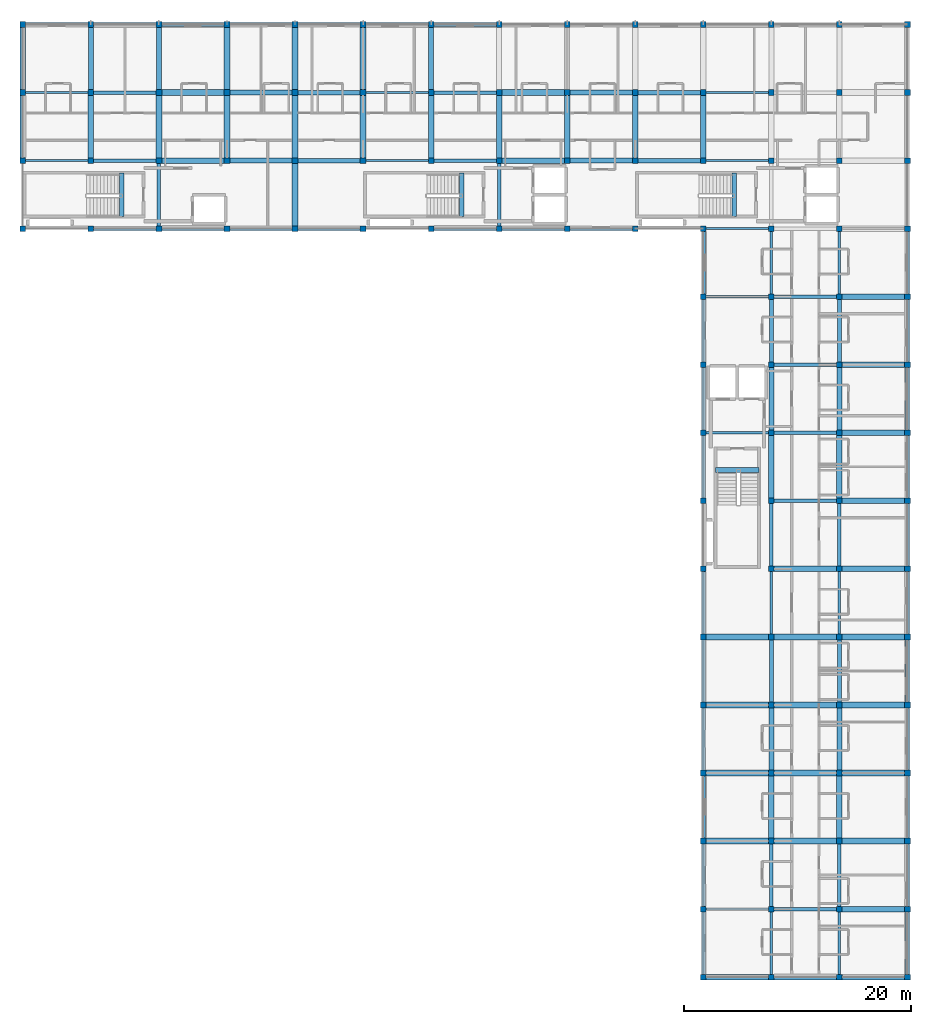
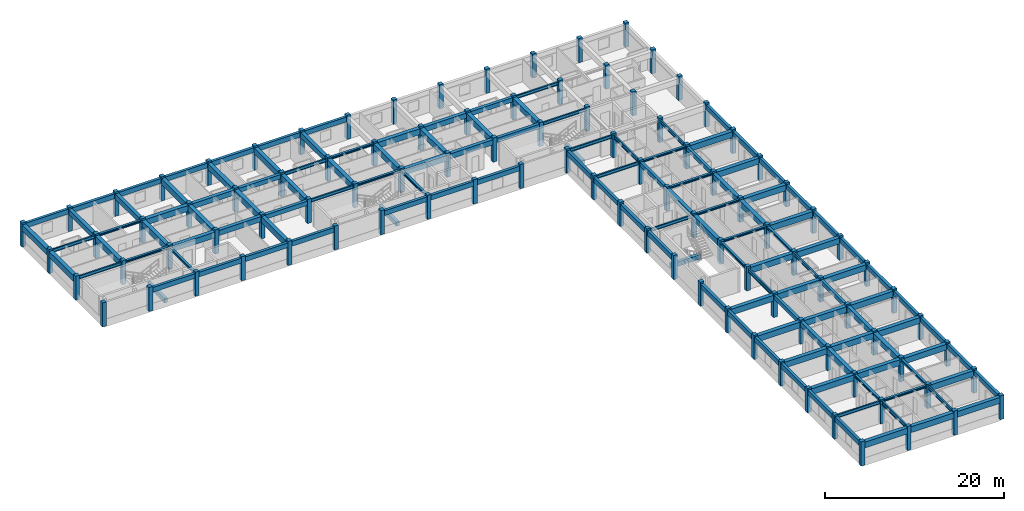
# One storey, part 1 of 15: 135 beams, 100 columns.
"""IFC4 building model written with IfcOpenShell, lengths in metres."""

from ifc_helpers import new_model, si_unit, direction, frame, origin, origin_2d, place, context, subcontext, project, spatial, rectangle, i_section, extrude, material, material_profile, profile_set, type_object, element, save


model = new_model("IFC4")

# Units and contexts
model_context = context("Model", 3, precision=1e-05, world=origin(), true_north=direction((0.0, 1.0)))
body_context = subcontext(model_context, "Body", "Model", "MODEL_VIEW")
ifc_project = project(units=[si_unit("LENGTHUNIT", "METRE"), si_unit("AREAUNIT", "SQUARE_METRE"), si_unit("VOLUMEUNIT", "CUBIC_METRE"), si_unit("PLANEANGLEUNIT", "RADIAN"), si_unit("MASSUNIT", "GRAM", prefix="KILO"), si_unit("THERMODYNAMICTEMPERATUREUNIT", "KELVIN"), si_unit("POWERUNIT", "WATT")], contexts=[model_context])

# Site, building, storey
site_placement = place(None, origin())
site = spatial("IfcSite", under=ifc_project, at=site_placement, CompositionType="ELEMENT")
building_placement = place(site_placement, origin())
building = spatial("IfcBuilding", under=site, at=building_placement, Name="Phaisarnlok Congress Hotel", CompositionType="ELEMENT")
storey_placement = place(building_placement, frame((0.0, 0.0, 41.39990234375)))
storey = spatial("IfcBuildingStorey", under=building, at=storey_placement, Name="L10", CompositionType="ELEMENT", Elevation=41.39990234375)

# Columns
ifc_material_1 = material(Name="Concrete C50/60", Category="concrete")
ifc_material_profile_1 = material_profile(ifc_material_1, rectangle(XDim=0.5, YDim=0.5, at=origin_2d()), Name="RC 500x500")
ifc_profile_set_1 = profile_set([ifc_material_profile_1], Name="Concrete C50/60")
column_type_1 = type_object("IfcColumnType", Name="COL-RC-500", PredefinedType="COLUMN", material=ifc_profile_set_1)
for number, where, z_axis, x_axis, name in (
    (1, (102.0, 108.0, 0.0), (0.0, 0.0, 1.0), (1.0, 0.0, 0.0), "Column C-01 (L10)"),
    (2, (102.0, 114.0, 0.0), (0.0, 0.0, 1.0), (1.0, 0.0, 0.0), "Column C-01 (L10)"),
    (3, (102.0, 120.0, 0.0), (0.0, 0.0, 1.0), (1.0, 0.0, 0.0), "Column C-01 (L10)"),
    (4, (108.0, 108.0, 0.0), (0.0, 0.0, 1.0), (1.0, 0.0, 0.0), "Column C-01 (L10)"),
    (5, (108.0, 114.0, 0.0), (0.0, 0.0, 1.0), (1.0, 0.0, 0.0), "Column C-01 (L10)"),
    (6, (108.0, 120.0, 0.0), (0.0, 0.0, 1.0), (1.0, 0.0, 0.0), "Column C-01 (L10)"),
    (7, (114.0, 108.0, 0.0), (0.0, 0.0, 1.0), (1.0, 0.0, 0.0), "Column C-01 (L10)"),
    (8, (114.0, 114.0, 0.0), (0.0, 0.0, 1.0), (1.0, 0.0, 0.0), "Column C-01 (L10)"),
    (9, (114.0, 120.0, 0.0), (0.0, 0.0, 1.0), (1.0, 0.0, 0.0), "Column C-01 (L10)"),
    (10, (120.0, 108.0, 0.0), (0.0, 0.0, 1.0), (1.0, 0.0, 0.0), "Column C-01 (L10)"),
    (11, (120.0, 114.0, 0.0), (0.0, 0.0, 1.0), (1.0, 0.0, 0.0), "Column C-01 (L10)"),
    (12, (120.0, 120.0, 0.0), (0.0, 0.0, 1.0), (1.0, 0.0, 0.0), "Column C-01 (L10)"),
    (13, (126.0, 108.0, 0.0), (0.0, 0.0, 1.0), (1.0, 0.0, 0.0), "Column C-01 (L10)"),
    (14, (126.0, 114.0, 0.0), (0.0, 0.0, 1.0), (1.0, 0.0, 0.0), "Column C-01 (L10)"),
    (15, (126.0, 120.0, 0.0), (0.0, 0.0, 1.0), (1.0, 0.0, 0.0), "Column C-01 (L10)"),
    (16, (132.0, 108.0, 0.0), (0.0, 0.0, 1.0), (1.0, 0.0, 0.0), "Column C-01 (L10)"),
    (17, (132.0, 114.0, 0.0), (0.0, 0.0, 1.0), (1.0, 0.0, 0.0), "Column C-01 (L10)"),
    (18, (132.0, 120.0, 0.0), (0.0, 0.0, 1.0), (1.0, 0.0, 0.0), "Column C-01 (L10)"),
    (19, (138.0, 108.0, 0.0), (0.0, 0.0, 1.0), (1.0, 0.0, 0.0), "Column C-01 (L10)"),
    (20, (138.0, 114.0, 0.0), (0.0, 0.0, 1.0), (1.0, 0.0, 0.0), "Column C-01 (L10)"),
    (21, (138.0, 120.0, 0.0), (0.0, 0.0, 1.0), (1.0, 0.0, 0.0), "Column C-01 (L10)"),
    (22, (144.0, 108.0, 0.0), (0.0, 0.0, 1.0), (1.0, 0.0, 0.0), "Column C-01 (L10)"),
    (23, (144.0, 114.0, 0.0), (0.0, 0.0, 1.0), (1.0, 0.0, 0.0), "Column C-01 (L10)"),
    (24, (144.0, 120.0, 0.0), (0.0, 0.0, 1.0), (1.0, 0.0, 0.0), "Column C-01 (L10)"),
    (25, (150.0, 108.0, 0.0), (0.0, 0.0, 1.0), (1.0, 0.0, 0.0), "Column C-01 (L10)"),
    (26, (150.0, 114.0, 0.0), (0.0, 0.0, 1.0), (1.0, 0.0, 0.0), "Column C-01 (L10)"),
    (27, (150.0, 120.0, 0.0), (0.0, 0.0, 1.0), (1.0, 0.0, 0.0), "Column C-01 (L10)"),
    (28, (156.0, 108.0, 0.0), (0.0, 0.0, 1.0), (1.0, 0.0, 0.0), "Column C-01 (L10)"),
    (29, (156.0, 114.0, 0.0), (0.0, 0.0, 1.0), (1.0, 0.0, 0.0), "Column C-01 (L10)"),
    (30, (156.0, 120.0, 0.0), (0.0, 0.0, 1.0), (1.0, 0.0, 0.0), "Column C-01 (L10)"),
    (31, (162.0, 42.0, 0.0), (0.0, 0.0, 1.0), (1.0, 0.0, 0.0), "Column C-01 (L10)"),
    (32, (162.0, 48.0, 0.0), (0.0, 0.0, 1.0), (1.0, 0.0, 0.0), "Column C-01 (L10)"),
    (33, (162.0, 54.0, 0.0), (0.0, 0.0, 1.0), (1.0, 0.0, 0.0), "Column C-01 (L10)"),
    (34, (162.0, 60.0, 0.0), (0.0, 0.0, 1.0), (1.0, 0.0, 0.0), "Column C-01 (L10)"),
    (35, (162.0, 66.0, 0.0), (0.0, 0.0, 1.0), (1.0, 0.0, 0.0), "Column C-01 (L10)"),
    (36, (162.0, 72.0, 0.0), (0.0, 0.0, 1.0), (1.0, 0.0, 0.0), "Column C-01 (L10)"),
    (37, (162.0, 78.0, 0.0), (0.0, 0.0, 1.0), (1.0, 0.0, 0.0), "Column C-01 (L10)"),
    (38, (162.0, 84.0, 0.0), (0.0, 0.0, 1.0), (1.0, 0.0, 0.0), "Column C-01 (L10)"),
    (39, (162.0, 90.0, 0.0), (0.0, 0.0, 1.0), (1.0, 0.0, 0.0), "Column C-01 (L10)"),
    (40, (162.0, 96.0, 0.0), (0.0, 0.0, 1.0), (1.0, 0.0, 0.0), "Column C-01 (L10)"),
    (41, (162.0, 102.0, 0.0), (0.0, 0.0, 1.0), (1.0, 0.0, 0.0), "Column C-01 (L10)"),
    (42, (162.0, 108.0, 0.0), (0.0, 0.0, 1.0), (1.0, 0.0, 0.0), "Column C-01 (L10)"),
    (43, (162.0, 114.0, 0.0), (0.0, 0.0, 1.0), (1.0, 0.0, 0.0), "Column C-01 (L10)"),
    (44, (162.0, 120.0, 0.0), (0.0, 0.0, 1.0), (1.0, 0.0, 0.0), "Column C-01 (L10)"),
    (45, (168.0, 42.0, 0.0), (0.0, 0.0, 1.0), (1.0, 0.0, 0.0), "Column C-01 (L10)"),
    (46, (168.0, 48.0, 0.0), (0.0, 0.0, 1.0), (1.0, 0.0, 0.0), "Column C-01 (L10)"),
    (47, (168.0, 54.0, 0.0), (0.0, 0.0, 1.0), (1.0, 0.0, 0.0), "Column C-01 (L10)"),
    (48, (168.0, 60.0, 0.0), (0.0, 0.0, 1.0), (1.0, 0.0, 0.0), "Column C-01 (L10)"),
    (49, (168.0, 66.0, 0.0), (0.0, 0.0, 1.0), (1.0, 0.0, 0.0), "Column C-01 (L10)"),
    (50, (168.0, 72.0, 0.0), (0.0, 0.0, 1.0), (1.0, 0.0, 0.0), "Column C-01 (L10)"),
    (51, (168.0, 78.0, 0.0), (0.0, 0.0, 1.0), (1.0, 0.0, 0.0), "Column C-01 (L10)"),
    (52, (168.0, 84.0, 0.0), (0.0, 0.0, 1.0), (1.0, 0.0, 0.0), "Column C-01 (L10)"),
    (53, (168.0, 90.0, 0.0), (0.0, 0.0, 1.0), (1.0, 0.0, 0.0), "Column C-01 (L10)"),
    (54, (168.0, 96.0, 0.0), (0.0, 0.0, 1.0), (1.0, 0.0, 0.0), "Column C-01 (L10)"),
    (55, (168.0, 102.0, 0.0), (0.0, 0.0, 1.0), (1.0, 0.0, 0.0), "Column C-01 (L10)"),
    (56, (168.0, 108.0, 0.0), (0.0, 0.0, 1.0), (1.0, 0.0, 0.0), "Column C-01 (L10)"),
    (57, (168.0, 114.0, 0.0), (0.0, 0.0, 1.0), (1.0, 0.0, 0.0), "Column C-01 (L10)"),
    (58, (168.0, 120.0, 0.0), (0.0, 0.0, 1.0), (1.0, 0.0, 0.0), "Column C-01 (L10)"),
    (59, (174.0, 42.0, 0.0), (0.0, 0.0, 1.0), (1.0, 0.0, 0.0), "Column C-01 (L10)"),
    (60, (174.0, 48.0, 0.0), (0.0, 0.0, 1.0), (1.0, 0.0, 0.0), "Column C-01 (L10)"),
    (61, (174.0, 54.0, 0.0), (0.0, 0.0, 1.0), (1.0, 0.0, 0.0), "Column C-01 (L10)"),
    (62, (174.0, 60.0, 0.0), (0.0, 0.0, 1.0), (1.0, 0.0, 0.0), "Column C-01 (L10)"),
    (63, (174.0, 66.0, 0.0), (0.0, 0.0, 1.0), (1.0, 0.0, 0.0), "Column C-01 (L10)"),
    (64, (174.0, 72.0, 0.0), (0.0, 0.0, 1.0), (1.0, 0.0, 0.0), "Column C-01 (L10)"),
    (65, (174.0, 78.0, 0.0), (0.0, 0.0, 1.0), (1.0, 0.0, 0.0), "Column C-01 (L10)"),
    (66, (174.0, 84.0, 0.0), (0.0, 0.0, 1.0), (1.0, 0.0, 0.0), "Column C-01 (L10)"),
    (67, (174.0, 90.0, 0.0), (0.0, 0.0, 1.0), (1.0, 0.0, 0.0), "Column C-01 (L10)"),
    (68, (174.0, 96.0, 0.0), (0.0, 0.0, 1.0), (1.0, 0.0, 0.0), "Column C-01 (L10)"),
    (69, (174.0, 102.0, 0.0), (0.0, 0.0, 1.0), (1.0, 0.0, 0.0), "Column C-01 (L10)"),
    (70, (174.0, 108.0, 0.0), (0.0, 0.0, 1.0), (1.0, 0.0, 0.0), "Column C-01 (L10)"),
    (71, (174.0, 114.0, 0.0), (0.0, 0.0, 1.0), (1.0, 0.0, 0.0), "Column C-01 (L10)"),
    (72, (174.0, 120.0, 0.0), (0.0, 0.0, 1.0), (1.0, 0.0, 0.0), "Column C-01 (L10)"),
):
    element("IfcColumn", number, at=place(storey_placement, frame(where, z_axis=z_axis, x_axis=x_axis)), inside=storey, type_object=column_type_1, Name=name, PredefinedType="COLUMN", context=body_context, shape_type="SweptSolid", body=[
        extrude(rectangle(XDim=0.5, YDim=0.5, at=origin_2d()), origin(), (0.0, 0.0, 1.0), 3.300048828125),
    ])
ifc_material_profile_2 = material_profile(ifc_material_1, rectangle(XDim=0.5, YDim=0.5, at=origin_2d()), Name="RC 500x500")
ifc_profile_set_2 = profile_set([ifc_material_profile_2], Name="Concrete C50/60")
column_type_2 = type_object("IfcColumnType", Name="COL-RC-500-EXT", PredefinedType="COLUMN", material=ifc_profile_set_2)
for number, where, z_axis, x_axis, name in (
    (73, (102.0, 126.0, 0.0), (0.0, 0.0, 1.0), (1.0, 0.0, 0.0), "Column C-01E (L10)"),
    (74, (108.0, 126.0, 0.0), (0.0, 0.0, 1.0), (1.0, 0.0, 0.0), "Column C-01E (L10)"),
    (75, (114.0, 126.0, 0.0), (0.0, 0.0, 1.0), (1.0, 0.0, 0.0), "Column C-01E (L10)"),
    (76, (120.0, 126.0, 0.0), (0.0, 0.0, 1.0), (1.0, 0.0, 0.0), "Column C-01E (L10)"),
    (77, (126.0, 126.0, 0.0), (0.0, 0.0, 1.0), (1.0, 0.0, 0.0), "Column C-01E (L10)"),
    (78, (132.0, 126.0, 0.0), (0.0, 0.0, 1.0), (1.0, 0.0, 0.0), "Column C-01E (L10)"),
    (79, (138.0, 126.0, 0.0), (0.0, 0.0, 1.0), (1.0, 0.0, 0.0), "Column C-01E (L10)"),
    (80, (144.0, 126.0, 0.0), (0.0, 0.0, 1.0), (1.0, 0.0, 0.0), "Column C-01E (L10)"),
    (81, (150.0, 126.0, 0.0), (0.0, 0.0, 1.0), (1.0, 0.0, 0.0), "Column C-01E (L10)"),
    (82, (156.0, 126.0, 0.0), (0.0, 0.0, 1.0), (1.0, 0.0, 0.0), "Column C-01E (L10)"),
    (83, (162.0, 126.0, 0.0), (0.0, 0.0, 1.0), (1.0, 0.0, 0.0), "Column C-01E (L10)"),
    (84, (168.0, 126.0, 0.0), (0.0, 0.0, 1.0), (1.0, 0.0, 0.0), "Column C-01E (L10)"),
    (85, (174.0, 126.0, 0.0), (0.0, 0.0, 1.0), (1.0, 0.0, 0.0), "Column C-01E (L10)"),
    (86, (180.0, 42.0, 0.0), (0.0, 0.0, 1.0), (1.0, 0.0, 0.0), "Column C-01E (L10)"),
    (87, (180.0, 48.0, 0.0), (0.0, 0.0, 1.0), (1.0, 0.0, 0.0), "Column C-01E (L10)"),
    (88, (180.0, 54.0, 0.0), (0.0, 0.0, 1.0), (1.0, 0.0, 0.0), "Column C-01E (L10)"),
    (89, (180.0, 60.0, 0.0), (0.0, 0.0, 1.0), (1.0, 0.0, 0.0), "Column C-01E (L10)"),
    (90, (180.0, 66.0, 0.0), (0.0, 0.0, 1.0), (1.0, 0.0, 0.0), "Column C-01E (L10)"),
    (91, (180.0, 72.0, 0.0), (0.0, 0.0, 1.0), (1.0, 0.0, 0.0), "Column C-01E (L10)"),
    (92, (180.0, 78.0, 0.0), (0.0, 0.0, 1.0), (1.0, 0.0, 0.0), "Column C-01E (L10)"),
    (93, (180.0, 84.0, 0.0), (0.0, 0.0, 1.0), (1.0, 0.0, 0.0), "Column C-01E (L10)"),
    (94, (180.0, 90.0, 0.0), (0.0, 0.0, 1.0), (1.0, 0.0, 0.0), "Column C-01E (L10)"),
    (95, (180.0, 96.0, 0.0), (0.0, 0.0, 1.0), (1.0, 0.0, 0.0), "Column C-01E (L10)"),
    (96, (180.0, 102.0, 0.0), (0.0, 0.0, 1.0), (1.0, 0.0, 0.0), "Column C-01E (L10)"),
    (97, (180.0, 108.0, 0.0), (0.0, 0.0, 1.0), (1.0, 0.0, 0.0), "Column C-01E (L10)"),
    (98, (180.0, 114.0, 0.0), (0.0, 0.0, 1.0), (1.0, 0.0, 0.0), "Column C-01E (L10)"),
    (99, (180.0, 120.0, 0.0), (0.0, 0.0, 1.0), (1.0, 0.0, 0.0), "Column C-01E (L10)"),
    (100, (180.0, 126.0, 0.0), (0.0, 0.0, 1.0), (1.0, 0.0, 0.0), "Column C-01E (L10)"),
):
    element("IfcColumn", number, at=place(storey_placement, frame(where, z_axis=z_axis, x_axis=x_axis)), inside=storey, type_object=column_type_2, Name=name, PredefinedType="COLUMN", context=body_context, shape_type="SweptSolid", body=[
        extrude(rectangle(XDim=0.5, YDim=0.5, at=origin_2d()), origin(), (0.0, 0.0, 1.0), 3.300048828125),
    ])

# Beams
ifc_material_2 = material(Name="Concrete C40/50", Category="concrete")
ifc_material_profile_3 = material_profile(ifc_material_2, rectangle(XDim=0.35009765625, YDim=0.550048828125, at=origin_2d()), Name="RC 350x550")
ifc_profile_set_3 = profile_set([ifc_material_profile_3], Name="Concrete C40/50")
beam_type_1 = type_object("IfcBeamType", Name="BM-RC-350x550", PredefinedType="BEAM", material=ifc_profile_set_3)
for number, where, z_axis, x_axis, name in (
    (101, (168.0, 66.2451171875, 2.78515625), (0.0, 1.0, 0.0), (-1.0, 0.0, 0.0), "Beam B-01"),
    (102, (168.0, 96.2451171875, 2.78515625), (0.0, 1.0, 0.0), (-1.0, 0.0, 0.0), "Beam B-01"),
    (103, (174.0, 66.2451171875, 2.78515625), (0.0, 1.0, 0.0), (-1.0, 0.0, 0.0), "Beam B-01"),
    (104, (174.0, 96.2451171875, 2.78515625), (0.0, 1.0, 0.0), (-1.0, 0.0, 0.0), "Beam B-01"),
):
    element("IfcBeam", number, at=place(storey_placement, frame(where, z_axis=z_axis, x_axis=x_axis)), inside=storey, type_object=beam_type_1, Name=name, PredefinedType="BEAM", context=body_context, shape_type="SweptSolid", body=[
        extrude(rectangle(XDim=0.35009765625, YDim=0.550048828125, at=origin_2d()), origin(), (0.0, 0.0, 1.0), 5.509765625),
    ])
ifc_material_profile_4 = material_profile(ifc_material_2, rectangle(XDim=0.39990234375, YDim=0.60009765625, at=origin_2d()), Name="RC 400x600")
ifc_profile_set_4 = profile_set([ifc_material_profile_4], Name="Concrete C40/50")
beam_type_2 = type_object("IfcBeamType", Name="BM-RC-400x600", PredefinedType="BEAM", material=ifc_profile_set_4)
for number, where, z_axis, x_axis, name in (
    (105, (126.2451171875, 114.0, 2.760009765625), (1.0, 0.0, 0.0), (0.0, 1.0, 0.0), "Beam B-02"),
    (106, (126.2451171875, 120.0, 2.760009765625), (1.0, 0.0, 0.0), (0.0, 1.0, 0.0), "Beam B-02"),
    (107, (156.2451171875, 114.0, 2.760009765625), (1.0, 0.0, 0.0), (0.0, 1.0, 0.0), "Beam B-02"),
    (108, (156.2451171875, 120.0, 2.760009765625), (1.0, 0.0, 0.0), (0.0, 1.0, 0.0), "Beam B-02"),
):
    element("IfcBeam", number, at=place(storey_placement, frame(where, z_axis=z_axis, x_axis=x_axis)), inside=storey, type_object=beam_type_2, Name=name, PredefinedType="BEAM", context=body_context, shape_type="SweptSolid", body=[
        extrude(rectangle(XDim=0.39990234375, YDim=0.60009765625, at=origin_2d()), origin(), (0.0, 0.0, 1.0), 5.509765625),
    ])
for number, where, z_axis, x_axis, name in (
    (109, (164.719970703125, 109.080078125, -0.2998046875), (0.0, 1.0, 0.0), (-1.0, 0.0, 0.0), "Stair landing header beam B-02 (CORE-1 L10)"),
    (110, (140.719970703125, 109.080078125, -0.2998046875), (0.0, 1.0, 0.0), (-1.0, 0.0, 0.0), "Stair landing header beam B-02 (CORE-2 L10)"),
    (111, (163.080078125, 86.719970703125, -0.2998046875), (1.0, 0.0, 0.0), (0.0, 1.0, 0.0), "Stair landing header beam B-02 (CORE-3 L10)"),
    (112, (110.719970703125, 109.080078125, -0.2998046875), (0.0, 1.0, 0.0), (-1.0, 0.0, 0.0), "Stair landing header beam B-02 (CORE-4 L10)"),
):
    element("IfcBeam", number, at=place(storey_placement, frame(where, z_axis=z_axis, x_axis=x_axis)), inside=storey, type_object=beam_type_2, Name=name, PredefinedType="BEAM", context=body_context, shape_type="SweptSolid", body=[
        extrude(rectangle(XDim=0.39990234375, YDim=0.60009765625, at=origin_2d()), origin(), (0.0, 0.0, 1.0), 3.83984375),
    ])
ifc_material_profile_5 = material_profile(ifc_material_2, rectangle(XDim=0.449951171875, YDim=0.699951171875, at=origin_2d()), Name="RC 450x700")
ifc_profile_set_5 = profile_set([ifc_material_profile_5], Name="Concrete C40/50")
beam_type_3 = type_object("IfcBeamType", Name="BM-RC-450x700", PredefinedType="BEAM", material=ifc_profile_set_5)
for number, where, z_axis, x_axis, name in (
    (113, (108.0, 120.2451171875, 2.710205078125), (0.0, 1.0, 0.0), (-1.0, 0.0, 0.0), "Beam B-03"),
    (114, (114.0, 120.2451171875, 2.710205078125), (0.0, 1.0, 0.0), (-1.0, 0.0, 0.0), "Beam B-03"),
    (115, (120.2451171875, 114.0, 2.710205078125), (1.0, 0.0, 0.0), (0.0, 1.0, 0.0), "Beam B-03"),
    (116, (120.2451171875, 120.0, 2.710205078125), (1.0, 0.0, 0.0), (0.0, 1.0, 0.0), "Beam B-03"),
    (117, (138.0, 120.2451171875, 2.710205078125), (0.0, 1.0, 0.0), (-1.0, 0.0, 0.0), "Beam B-03"),
    (118, (150.2451171875, 114.0, 2.710205078125), (1.0, 0.0, 0.0), (0.0, 1.0, 0.0), "Beam B-03"),
    (119, (150.2451171875, 120.0, 2.710205078125), (1.0, 0.0, 0.0), (0.0, 1.0, 0.0), "Beam B-03"),
    (120, (168.0, 60.2451171875, 2.7451171875), (0.0, 1.0, 0.0), (-1.0, 0.0, 0.0), "Beam B-03"),
    (121, (168.0, 90.2451171875, 2.710205078125), (0.0, 1.0, 0.0), (-1.0, 0.0, 0.0), "Beam B-03"),
    (122, (174.0, 60.2451171875, 2.7451171875), (0.0, 1.0, 0.0), (-1.0, 0.0, 0.0), "Beam B-03"),
    (123, (174.0, 90.2451171875, 2.710205078125), (0.0, 1.0, 0.0), (-1.0, 0.0, 0.0), "Beam B-03"),
):
    element("IfcBeam", number, at=place(storey_placement, frame(where, z_axis=z_axis, x_axis=x_axis)), inside=storey, type_object=beam_type_3, Name=name, PredefinedType="BEAM", context=body_context, shape_type="SweptSolid", body=[
        extrude(rectangle(XDim=0.449951171875, YDim=0.699951171875, at=origin_2d()), origin(), (0.0, 0.0, 1.0), 5.509765625),
    ])
ifc_material_profile_6 = material_profile(ifc_material_2, rectangle(XDim=0.5, YDim=0.800048828125, at=origin_2d()), Name="RC 500x800")
ifc_profile_set_6 = profile_set([ifc_material_profile_6], Name="Concrete C40/50")
beam_type_4 = type_object("IfcBeamType", Name="BM-RC-500x800", PredefinedType="BEAM", material=ifc_profile_set_6)
for number, where, z_axis, x_axis, name in (
    (124, (108.0, 114.2451171875, 2.66015625), (0.0, 1.0, 0.0), (-1.0, 0.0, 0.0), "Beam B-04"),
    (125, (114.2451171875, 114.0, 2.66015625), (1.0, 0.0, 0.0), (0.0, 1.0, 0.0), "Beam B-04"),
    (126, (114.0, 114.2451171875, 2.66015625), (0.0, 1.0, 0.0), (-1.0, 0.0, 0.0), "Beam B-04"),
    (127, (114.2451171875, 120.0, 2.66015625), (1.0, 0.0, 0.0), (0.0, 1.0, 0.0), "Beam B-04"),
    (128, (120.0, 114.2451171875, 2.66015625), (0.0, 1.0, 0.0), (-1.0, 0.0, 0.0), "Beam B-04"),
    (129, (120.0, 120.2451171875, 2.66015625), (0.0, 1.0, 0.0), (-1.0, 0.0, 0.0), "Beam B-04"),
    (130, (126.0, 108.2451171875, 2.66015625), (0.0, 1.0, 0.0), (-1.0, 0.0, 0.0), "Beam B-04"),
    (131, (126.0, 114.2451171875, 2.66015625), (0.0, 1.0, 0.0), (-1.0, 0.0, 0.0), "Beam B-04"),
    (132, (126.0, 120.2451171875, 2.66015625), (0.0, 1.0, 0.0), (-1.0, 0.0, 0.0), "Beam B-04"),
    (133, (132.0, 114.2451171875, 2.66015625), (0.0, 1.0, 0.0), (-1.0, 0.0, 0.0), "Beam B-04"),
    (134, (132.0, 120.2451171875, 2.66015625), (0.0, 1.0, 0.0), (-1.0, 0.0, 0.0), "Beam B-04"),
    (135, (138.0, 114.2451171875, 2.66015625), (0.0, 1.0, 0.0), (-1.0, 0.0, 0.0), "Beam B-04"),
    (136, (144.2451171875, 114.0, 2.66015625), (1.0, 0.0, 0.0), (0.0, 1.0, 0.0), "Beam B-04"),
    (137, (144.0, 114.2451171875, 2.66015625), (0.0, 1.0, 0.0), (-1.0, 0.0, 0.0), "Beam B-04"),
    (138, (144.2451171875, 120.0, 2.66015625), (1.0, 0.0, 0.0), (0.0, 1.0, 0.0), "Beam B-04"),
    (139, (150.0, 114.2451171875, 2.66015625), (0.0, 1.0, 0.0), (-1.0, 0.0, 0.0), "Beam B-04"),
    (140, (156.0, 114.2451171875, 2.66015625), (0.0, 1.0, 0.0), (-1.0, 0.0, 0.0), "Beam B-04"),
    (141, (162.2451171875, 54.0, 2.695068359375), (1.0, 0.0, 0.0), (0.0, 1.0, 0.0), "Beam B-04"),
    (142, (162.2451171875, 60.0, 2.695068359375), (1.0, 0.0, 0.0), (0.0, 1.0, 0.0), "Beam B-04"),
    (143, (162.2451171875, 66.0, 2.66015625), (1.0, 0.0, 0.0), (0.0, 1.0, 0.0), "Beam B-04"),
    (144, (162.2451171875, 72.0, 2.66015625), (1.0, 0.0, 0.0), (0.0, 1.0, 0.0), "Beam B-04"),
    (145, (162.0, 114.2451171875, 2.66015625), (0.0, 1.0, 0.0), (-1.0, 0.0, 0.0), "Beam B-04"),
    (146, (168.2451171875, 54.0, 2.695068359375), (1.0, 0.0, 0.0), (0.0, 1.0, 0.0), "Beam B-04"),
    (147, (168.0, 54.2451171875, 2.695068359375), (0.0, 1.0, 0.0), (-1.0, 0.0, 0.0), "Beam B-04"),
    (148, (168.2451171875, 60.0, 2.695068359375), (1.0, 0.0, 0.0), (0.0, 1.0, 0.0), "Beam B-04"),
    (149, (168.2451171875, 66.0, 2.66015625), (1.0, 0.0, 0.0), (0.0, 1.0, 0.0), "Beam B-04"),
    (150, (168.2451171875, 72.0, 2.66015625), (1.0, 0.0, 0.0), (0.0, 1.0, 0.0), "Beam B-04"),
    (151, (168.2451171875, 78.0, 2.66015625), (1.0, 0.0, 0.0), (0.0, 1.0, 0.0), "Beam B-04"),
    (152, (168.0, 84.2451171875, 2.66015625), (0.0, 1.0, 0.0), (-1.0, 0.0, 0.0), "Beam B-04"),
    (153, (174.2451171875, 48.0, 2.695068359375), (1.0, 0.0, 0.0), (0.0, 1.0, 0.0), "Beam B-04"),
    (154, (174.2451171875, 54.0, 2.695068359375), (1.0, 0.0, 0.0), (0.0, 1.0, 0.0), "Beam B-04"),
    (155, (174.0, 54.2451171875, 2.695068359375), (0.0, 1.0, 0.0), (-1.0, 0.0, 0.0), "Beam B-04"),
    (156, (174.2451171875, 60.0, 2.695068359375), (1.0, 0.0, 0.0), (0.0, 1.0, 0.0), "Beam B-04"),
    (157, (174.2451171875, 66.0, 2.66015625), (1.0, 0.0, 0.0), (0.0, 1.0, 0.0), "Beam B-04"),
    (158, (174.2451171875, 72.0, 2.66015625), (1.0, 0.0, 0.0), (0.0, 1.0, 0.0), "Beam B-04"),
    (159, (174.2451171875, 78.0, 2.66015625), (1.0, 0.0, 0.0), (0.0, 1.0, 0.0), "Beam B-04"),
    (160, (174.2451171875, 84.0, 2.66015625), (1.0, 0.0, 0.0), (0.0, 1.0, 0.0), "Beam B-04"),
    (161, (174.0, 84.2451171875, 2.66015625), (0.0, 1.0, 0.0), (-1.0, 0.0, 0.0), "Beam B-04"),
    (162, (174.2451171875, 90.0, 2.66015625), (1.0, 0.0, 0.0), (0.0, 1.0, 0.0), "Beam B-04"),
    (163, (174.2451171875, 96.0, 2.66015625), (1.0, 0.0, 0.0), (0.0, 1.0, 0.0), "Beam B-04"),
    (164, (174.2451171875, 102.0, 2.66015625), (1.0, 0.0, 0.0), (0.0, 1.0, 0.0), "Beam B-04"),
):
    element("IfcBeam", number, at=place(storey_placement, frame(where, z_axis=z_axis, x_axis=x_axis)), inside=storey, type_object=beam_type_4, Name=name, PredefinedType="BEAM", context=body_context, shape_type="SweptSolid", body=[
        extrude(rectangle(XDim=0.5, YDim=0.800048828125, at=origin_2d()), origin(), (0.0, 0.0, 1.0), 5.509765625),
    ])
ifc_material_3 = material(Name="Steel S355", Category="steel")
ifc_material_profile_7 = material_profile(ifc_material_3, i_section(OverallWidth=0.300048828125, OverallDepth=0.2900390625, WebThickness=0.008544921875, FlangeThickness=0.013916015625, FilletRadius=0.027099609375, at=origin_2d()), Name="HEA 300")
ifc_profile_set_7 = profile_set([ifc_material_profile_7], Name="Steel S355")
beam_type_5 = type_object("IfcBeamType", Name="BM-STL-HEA300", PredefinedType="BEAM", material=ifc_profile_set_7)
for number, where, z_axis, x_axis, name in (
    (165, (108.2451171875, 114.0, 2.9150390625), (1.0, 0.0, 0.0), (0.0, 1.0, 0.0), "Beam SB-05"),
    (166, (108.2451171875, 120.0, 2.9150390625), (1.0, 0.0, 0.0), (0.0, 1.0, 0.0), "Beam SB-05"),
    (167, (138.2451171875, 114.0, 2.9150390625), (1.0, 0.0, 0.0), (0.0, 1.0, 0.0), "Beam SB-05"),
    (168, (138.2451171875, 120.0, 2.9150390625), (1.0, 0.0, 0.0), (0.0, 1.0, 0.0), "Beam SB-05"),
    (169, (168.2451171875, 48.0, 2.9501953125), (1.0, 0.0, 0.0), (0.0, 1.0, 0.0), "Beam SB-05"),
    (170, (168.2451171875, 84.0, 2.9150390625), (1.0, 0.0, 0.0), (0.0, 1.0, 0.0), "Beam SB-05"),
    (171, (168.2451171875, 90.0, 2.9150390625), (1.0, 0.0, 0.0), (0.0, 1.0, 0.0), "Beam SB-05"),
    (172, (168.2451171875, 96.0, 2.9150390625), (1.0, 0.0, 0.0), (0.0, 1.0, 0.0), "Beam SB-05"),
    (173, (168.2451171875, 102.0, 2.9150390625), (1.0, 0.0, 0.0), (0.0, 1.0, 0.0), "Beam SB-05"),
):
    element("IfcBeam", number, at=place(storey_placement, frame(where, z_axis=z_axis, x_axis=x_axis)), inside=storey, type_object=beam_type_5, Name=name, PredefinedType="BEAM", context=body_context, shape_type="SweptSolid", body=[
        extrude(i_section(OverallWidth=0.300048828125, OverallDepth=0.2900390625, WebThickness=0.008544921875, FlangeThickness=0.013916015625, FilletRadius=0.027099609375, at=origin_2d()), origin(), (0.0, 0.0, 1.0), 5.509765625),
    ])
ifc_material_profile_8 = material_profile(ifc_material_3, i_section(OverallWidth=0.300048828125, OverallDepth=0.340087890625, WebThickness=0.011962890625, FlangeThickness=0.021484375, FilletRadius=0.027099609375, at=origin_2d()), Name="HEB 340")
ifc_profile_set_8 = profile_set([ifc_material_profile_8], Name="Steel S355")
beam_type_6 = type_object("IfcBeamType", Name="BM-STL-HEB340", PredefinedType="BEAM", material=ifc_profile_set_8)
for number, where, z_axis, x_axis, name in (
    (174, (114.0, 108.2451171875, 2.89013671875), (0.0, 1.0, 0.0), (-1.0, 0.0, 0.0), "Beam SB-07"),
    (175, (144.0, 108.2451171875, 2.89013671875), (0.0, 1.0, 0.0), (-1.0, 0.0, 0.0), "Beam SB-07"),
    (176, (168.0, 48.2451171875, 2.925048828125), (0.0, 1.0, 0.0), (-1.0, 0.0, 0.0), "Beam SB-07"),
    (177, (168.0, 78.2451171875, 2.89013671875), (0.0, 1.0, 0.0), (-1.0, 0.0, 0.0), "Beam SB-07"),
    (178, (174.0, 48.2451171875, 2.925048828125), (0.0, 1.0, 0.0), (-1.0, 0.0, 0.0), "Beam SB-07"),
    (179, (174.0, 78.2451171875, 2.89013671875), (0.0, 1.0, 0.0), (-1.0, 0.0, 0.0), "Beam SB-07"),
):
    element("IfcBeam", number, at=place(storey_placement, frame(where, z_axis=z_axis, x_axis=x_axis)), inside=storey, type_object=beam_type_6, Name=name, PredefinedType="BEAM", context=body_context, shape_type="SweptSolid", body=[
        extrude(i_section(OverallWidth=0.300048828125, OverallDepth=0.340087890625, WebThickness=0.011962890625, FlangeThickness=0.021484375, FilletRadius=0.027099609375, at=origin_2d()), origin(), (0.0, 0.0, 1.0), 5.509765625),
    ])
ifc_material_profile_9 = material_profile(ifc_material_3, i_section(OverallWidth=0.18994140625, OverallDepth=0.449951171875, WebThickness=0.009521484375, FlangeThickness=0.0146484375, FilletRadius=0.02099609375, at=origin_2d()), Name="IPE 450")
ifc_profile_set_9 = profile_set([ifc_material_profile_9], Name="Steel S355")
beam_type_7 = type_object("IfcBeamType", Name="BM-STL-IPE450", PredefinedType="BEAM", material=ifc_profile_set_9)
for number, where, z_axis, x_axis, name in (
    (180, (102.2451171875, 114.0, 2.835205078125), (1.0, 0.0, 0.0), (0.0, 1.0, 0.0), "Beam SB-01"),
    (181, (102.2451171875, 120.0, 2.835205078125), (1.0, 0.0, 0.0), (0.0, 1.0, 0.0), "Beam SB-01"),
    (182, (132.2451171875, 114.0, 2.835205078125), (1.0, 0.0, 0.0), (0.0, 1.0, 0.0), "Beam SB-01"),
    (183, (132.2451171875, 120.0, 2.835205078125), (1.0, 0.0, 0.0), (0.0, 1.0, 0.0), "Beam SB-01"),
    (184, (162.2451171875, 48.0, 2.8701171875), (1.0, 0.0, 0.0), (0.0, 1.0, 0.0), "Beam SB-01"),
    (185, (162.2451171875, 90.0, 2.835205078125), (1.0, 0.0, 0.0), (0.0, 1.0, 0.0), "Beam SB-01"),
    (186, (162.2451171875, 102.0, 2.835205078125), (1.0, 0.0, 0.0), (0.0, 1.0, 0.0), "Beam SB-01"),
    (187, (162.2451171875, 108.0, 2.835205078125), (1.0, 0.0, 0.0), (0.0, 1.0, 0.0), "Beam SB-01"),
    (188, (162.2451171875, 114.0, 2.835205078125), (1.0, 0.0, 0.0), (0.0, 1.0, 0.0), "Beam SB-01"),
    (189, (162.2451171875, 120.0, 2.835205078125), (1.0, 0.0, 0.0), (0.0, 1.0, 0.0), "Beam SB-01"),
):
    element("IfcBeam", number, at=place(storey_placement, frame(where, z_axis=z_axis, x_axis=x_axis)), inside=storey, type_object=beam_type_7, Name=name, PredefinedType="BEAM", context=body_context, shape_type="SweptSolid", body=[
        extrude(i_section(OverallWidth=0.18994140625, OverallDepth=0.449951171875, WebThickness=0.009521484375, FlangeThickness=0.0146484375, FilletRadius=0.02099609375, at=origin_2d()), origin(), (0.0, 0.0, 1.0), 5.509765625),
    ])
ifc_material_profile_10 = material_profile(ifc_material_3, i_section(OverallWidth=0.199951171875, OverallDepth=0.5, WebThickness=0.01025390625, FlangeThickness=0.01611328125, FilletRadius=0.02099609375, at=origin_2d()), Name="IPE 500")
ifc_profile_set_10 = profile_set([ifc_material_profile_10], Name="Steel S355")
beam_type_8 = type_object("IfcBeamType", Name="BM-STL-IPE500", PredefinedType="BEAM", material=ifc_profile_set_10)
for number, where, z_axis, x_axis, name in (
    (190, (168.0, 42.2451171875, 2.84521484375), (0.0, 1.0, 0.0), (-1.0, 0.0, 0.0), "Beam SB-02"),
    (191, (168.0, 72.2451171875, 2.81005859375), (0.0, 1.0, 0.0), (-1.0, 0.0, 0.0), "Beam SB-02"),
    (192, (168.0, 102.2451171875, 2.81005859375), (0.0, 1.0, 0.0), (-1.0, 0.0, 0.0), "Beam SB-02"),
    (193, (174.0, 42.2451171875, 2.84521484375), (0.0, 1.0, 0.0), (-1.0, 0.0, 0.0), "Beam SB-02"),
    (194, (174.0, 72.2451171875, 2.81005859375), (0.0, 1.0, 0.0), (-1.0, 0.0, 0.0), "Beam SB-02"),
    (195, (174.0, 102.2451171875, 2.81005859375), (0.0, 1.0, 0.0), (-1.0, 0.0, 0.0), "Beam SB-02"),
):
    element("IfcBeam", number, at=place(storey_placement, frame(where, z_axis=z_axis, x_axis=x_axis)), inside=storey, type_object=beam_type_8, Name=name, PredefinedType="BEAM", context=body_context, shape_type="SweptSolid", body=[
        extrude(i_section(OverallWidth=0.199951171875, OverallDepth=0.5, WebThickness=0.01025390625, FlangeThickness=0.01611328125, FilletRadius=0.02099609375, at=origin_2d()), origin(), (0.0, 0.0, 1.0), 5.509765625),
    ])
ifc_material_profile_11 = material_profile(ifc_material_2, rectangle(XDim=0.35009765625, YDim=0.64990234375, at=origin_2d()), Name="RC 350x650")
ifc_profile_set_11 = profile_set([ifc_material_profile_11], Name="Concrete C40/50")
beam_type_9 = type_object("IfcBeamType", Name="SP-RC-350x650", PredefinedType="SPANDREL", material=ifc_profile_set_11)
for number, where, z_axis, x_axis, name in (
    (196, (102.2451171875, 126.0, 2.735107421875), (1.0, 0.0, 0.0), (0.0, 1.0, 0.0), "Beam SP-01"),
    (197, (108.2451171875, 108.0, 2.735107421875), (1.0, 0.0, 0.0), (0.0, 1.0, 0.0), "Beam SP-01"),
    (198, (108.2451171875, 126.0, 2.735107421875), (1.0, 0.0, 0.0), (0.0, 1.0, 0.0), "Beam SP-01"),
    (199, (114.2451171875, 108.0, 2.735107421875), (1.0, 0.0, 0.0), (0.0, 1.0, 0.0), "Beam SP-01"),
    (200, (114.2451171875, 126.0, 2.735107421875), (1.0, 0.0, 0.0), (0.0, 1.0, 0.0), "Beam SP-01"),
    (201, (120.2451171875, 108.0, 2.735107421875), (1.0, 0.0, 0.0), (0.0, 1.0, 0.0), "Beam SP-01"),
    (202, (120.2451171875, 126.0, 2.735107421875), (1.0, 0.0, 0.0), (0.0, 1.0, 0.0), "Beam SP-01"),
    (203, (126.2451171875, 108.0, 2.735107421875), (1.0, 0.0, 0.0), (0.0, 1.0, 0.0), "Beam SP-01"),
    (204, (126.2451171875, 126.0, 2.735107421875), (1.0, 0.0, 0.0), (0.0, 1.0, 0.0), "Beam SP-01"),
    (205, (132.2451171875, 126.0, 2.735107421875), (1.0, 0.0, 0.0), (0.0, 1.0, 0.0), "Beam SP-01"),
    (206, (138.2451171875, 108.0, 2.735107421875), (1.0, 0.0, 0.0), (0.0, 1.0, 0.0), "Beam SP-01"),
    (207, (138.2451171875, 126.0, 2.735107421875), (1.0, 0.0, 0.0), (0.0, 1.0, 0.0), "Beam SP-01"),
    (208, (144.2451171875, 108.0, 2.735107421875), (1.0, 0.0, 0.0), (0.0, 1.0, 0.0), "Beam SP-01"),
    (209, (150.2451171875, 108.0, 2.735107421875), (1.0, 0.0, 0.0), (0.0, 1.0, 0.0), "Beam SP-01"),
    (210, (162.0, 42.2451171875, 2.77001953125), (0.0, 1.0, 0.0), (-1.0, 0.0, 0.0), "Beam SP-01"),
    (211, (162.0, 48.2451171875, 2.77001953125), (0.0, 1.0, 0.0), (-1.0, 0.0, 0.0), "Beam SP-01"),
    (212, (162.0, 54.2451171875, 2.77001953125), (0.0, 1.0, 0.0), (-1.0, 0.0, 0.0), "Beam SP-01"),
    (213, (162.0, 60.2451171875, 2.77001953125), (0.0, 1.0, 0.0), (-1.0, 0.0, 0.0), "Beam SP-01"),
    (214, (162.0, 66.2451171875, 2.735107421875), (0.0, 1.0, 0.0), (-1.0, 0.0, 0.0), "Beam SP-01"),
    (215, (162.0, 72.2451171875, 2.735107421875), (0.0, 1.0, 0.0), (-1.0, 0.0, 0.0), "Beam SP-01"),
    (216, (162.0, 84.2451171875, 2.735107421875), (0.0, 1.0, 0.0), (-1.0, 0.0, 0.0), "Beam SP-01"),
    (217, (162.0, 90.2451171875, 2.735107421875), (0.0, 1.0, 0.0), (-1.0, 0.0, 0.0), "Beam SP-01"),
    (218, (162.0, 96.2451171875, 2.735107421875), (0.0, 1.0, 0.0), (-1.0, 0.0, 0.0), "Beam SP-01"),
    (219, (162.0, 102.2451171875, 2.735107421875), (0.0, 1.0, 0.0), (-1.0, 0.0, 0.0), "Beam SP-01"),
    (220, (180.0, 42.2451171875, 2.77001953125), (0.0, 1.0, 0.0), (-1.0, 0.0, 0.0), "Beam SP-01"),
    (221, (180.0, 48.2451171875, 2.77001953125), (0.0, 1.0, 0.0), (-1.0, 0.0, 0.0), "Beam SP-01"),
    (222, (180.0, 54.2451171875, 2.77001953125), (0.0, 1.0, 0.0), (-1.0, 0.0, 0.0), "Beam SP-01"),
    (223, (180.0, 60.2451171875, 2.77001953125), (0.0, 1.0, 0.0), (-1.0, 0.0, 0.0), "Beam SP-01"),
    (224, (180.0, 66.2451171875, 2.735107421875), (0.0, 1.0, 0.0), (-1.0, 0.0, 0.0), "Beam SP-01"),
    (225, (180.0, 72.2451171875, 2.735107421875), (0.0, 1.0, 0.0), (-1.0, 0.0, 0.0), "Beam SP-01"),
    (226, (180.0, 78.2451171875, 2.735107421875), (0.0, 1.0, 0.0), (-1.0, 0.0, 0.0), "Beam SP-01"),
    (227, (180.0, 84.2451171875, 2.735107421875), (0.0, 1.0, 0.0), (-1.0, 0.0, 0.0), "Beam SP-01"),
    (228, (180.0, 90.2451171875, 2.735107421875), (0.0, 1.0, 0.0), (-1.0, 0.0, 0.0), "Beam SP-01"),
    (229, (180.0, 96.2451171875, 2.735107421875), (0.0, 1.0, 0.0), (-1.0, 0.0, 0.0), "Beam SP-01"),
    (230, (180.0, 102.2451171875, 2.735107421875), (0.0, 1.0, 0.0), (-1.0, 0.0, 0.0), "Beam SP-01"),
):
    element("IfcBeam", number, at=place(storey_placement, frame(where, z_axis=z_axis, x_axis=x_axis)), inside=storey, type_object=beam_type_9, Name=name, PredefinedType="SPANDREL", context=body_context, shape_type="SweptSolid", body=[
        extrude(rectangle(XDim=0.35009765625, YDim=0.64990234375, at=origin_2d()), origin(), (0.0, 0.0, 1.0), 5.509765625),
    ])
ifc_material_profile_12 = material_profile(ifc_material_2, rectangle(XDim=0.5, YDim=0.800048828125, at=origin_2d()), Name="RC 500x800")
ifc_profile_set_12 = profile_set([ifc_material_profile_12], Name="Concrete C40/50")
beam_type_10 = type_object("IfcBeamType", Name="SP-RC-500x800", PredefinedType="SPANDREL", material=ifc_profile_set_12)
for number, where, z_axis, x_axis, name in (
    (231, (102.0, 114.2451171875, 2.66015625), (0.0, 1.0, 0.0), (-1.0, 0.0, 0.0), "Beam SP-04"),
    (232, (102.0, 120.2451171875, 2.66015625), (0.0, 1.0, 0.0), (-1.0, 0.0, 0.0), "Beam SP-04"),
    (233, (162.2451171875, 42.0, 2.695068359375), (1.0, 0.0, 0.0), (0.0, 1.0, 0.0), "Beam SP-04"),
    (234, (168.2451171875, 42.0, 2.695068359375), (1.0, 0.0, 0.0), (0.0, 1.0, 0.0), "Beam SP-04"),
    (235, (174.2451171875, 42.0, 2.695068359375), (1.0, 0.0, 0.0), (0.0, 1.0, 0.0), "Beam SP-04"),
):
    element("IfcBeam", number, at=place(storey_placement, frame(where, z_axis=z_axis, x_axis=x_axis)), inside=storey, type_object=beam_type_10, Name=name, PredefinedType="SPANDREL", context=body_context, shape_type="SweptSolid", body=[
        extrude(rectangle(XDim=0.5, YDim=0.800048828125, at=origin_2d()), origin(), (0.0, 0.0, 1.0), 5.509765625),
    ])

save(model, "model.ifc")
